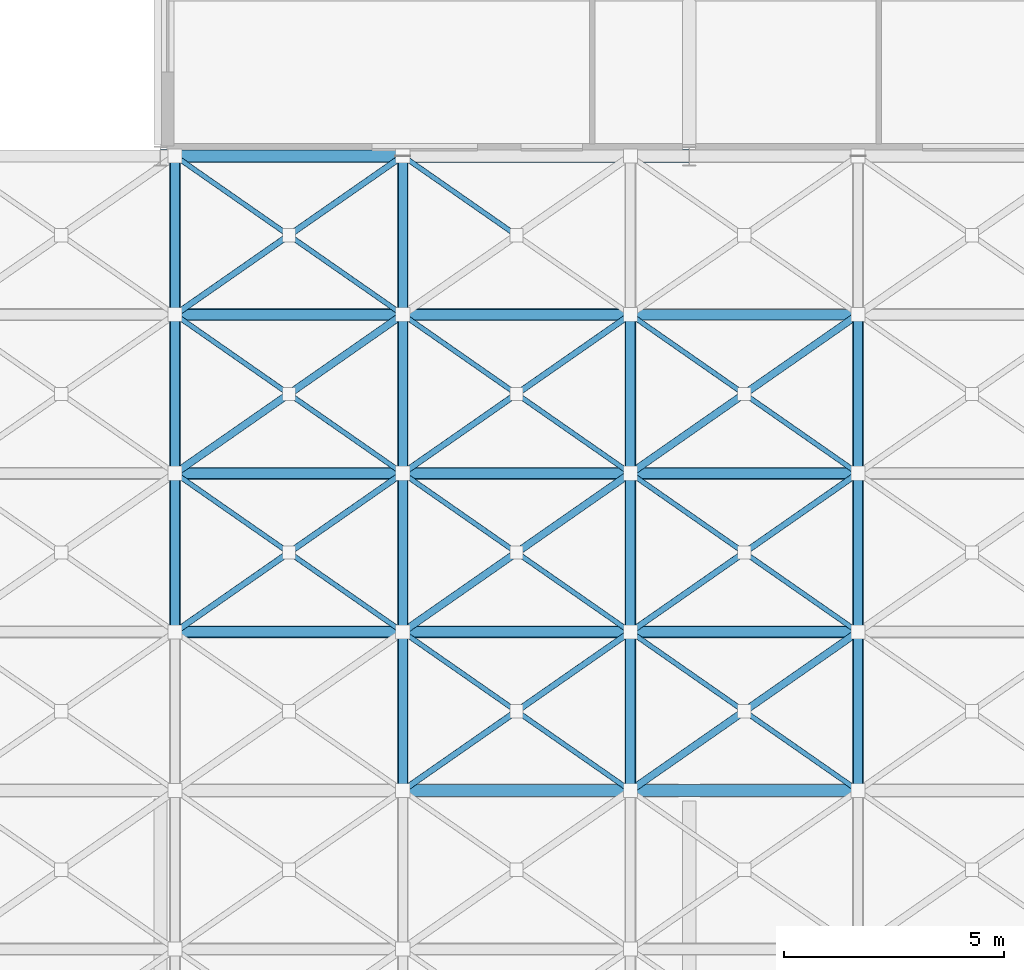
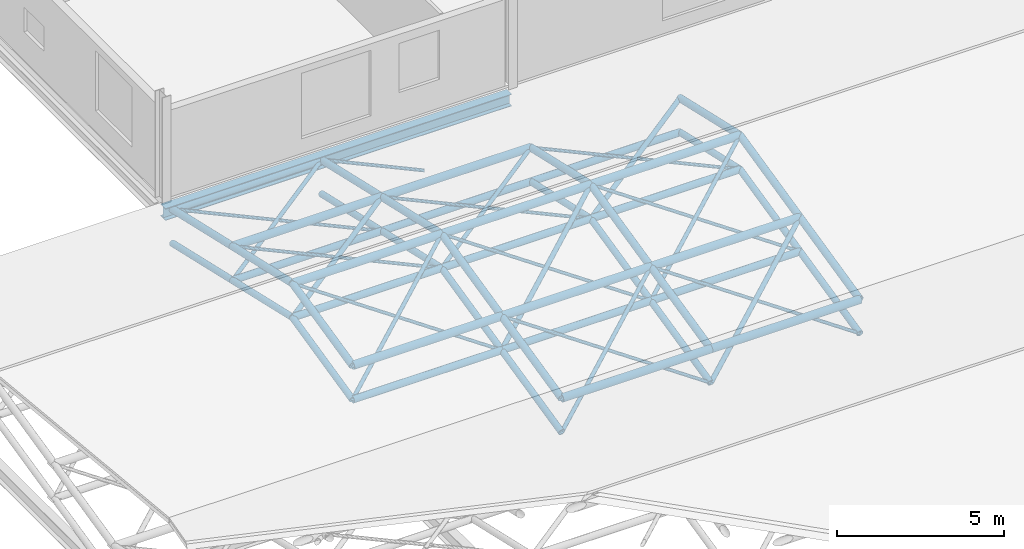
# One storey, part 46 of 110: 74 members, 1 beam.
"""IFC4 building model written with IfcOpenShell, lengths in metres."""

from ifc_helpers import new_model, si_unit, direction, frame, origin, origin_2d, place, context, subcontext, project, spatial, hollow_circle, i_section, extrude, material, material_profile, profile_set, type_object, element, save


model = new_model("IFC4")

# Units and contexts
model_context = context("Model", 3, precision=1e-05, world=origin(), true_north=direction((0.0, 1.0)))
body_context = subcontext(model_context, "Body", "Model", "MODEL_VIEW")
ifc_project = project(units=[si_unit("LENGTHUNIT", "METRE"), si_unit("AREAUNIT", "SQUARE_METRE"), si_unit("VOLUMEUNIT", "CUBIC_METRE"), si_unit("PLANEANGLEUNIT", "RADIAN"), si_unit("MASSUNIT", "GRAM", prefix="KILO")], contexts=[model_context])

# Site, building, storey
site_placement = place(None, origin())
site = spatial("IfcSite", under=ifc_project, at=site_placement, CompositionType="ELEMENT")
building_placement = place(site_placement, origin())
building = spatial("IfcBuilding", under=site, at=building_placement, Name="Tamarisk Ironworks Central Station", CompositionType="ELEMENT")
storey_placement = place(building_placement, frame((0.0, 0.0, 17.39990234375)))
storey = spatial("IfcBuildingStorey", under=building, at=storey_placement, Name="L03", CompositionType="ELEMENT", Elevation=17.39990234375)

# Beam
ifc_material_1 = material(Name="Structural steel S355J2", Category="steel")
ifc_material_profile_1 = material_profile(ifc_material_1, i_section(OverallWidth=0.300048828125, OverallDepth=0.43994140625, WebThickness=0.011474609375, FlangeThickness=0.02099609375, at=origin_2d()), Name="HEA 450")
ifc_profile_set_1 = profile_set([ifc_material_profile_1], Name="Structural steel S355J2")
beam_type = type_object("IfcBeamType", Name="BM-G06", PredefinedType="BEAM", material=ifc_profile_set_1)
beam_placement = place(storey_placement, frame((128.00390625, 79.199951171875, -0.469970703125), z_axis=(1.0, 0.0, 0.0), x_axis=(0.0, 1.0, 0.0)))
element("IfcBeam", 1, at=beam_placement, inside=storey, type_object=beam_type, Name="L03 primary girder X-0628", PredefinedType="BEAM", context=body_context, shape_type="SweptSolid", body=[
    extrude(i_section(OverallWidth=0.300048828125, OverallDepth=0.43994140625, WebThickness=0.011474609375, FlangeThickness=0.02099609375, at=origin_2d()), origin(), (0.0, 0.0, 1.0), 11.9921875),
])

# Members
ifc_material_2 = material(Name="Structural steel S355J2H", Category="steel")
ifc_material_profile_2 = material_profile(ifc_material_2, hollow_circle(Radius=0.136474609375, WallThickness=0.012451171875, at=origin_2d()), Name="CHS 273x12.5")
ifc_profile_set_2 = profile_set([ifc_material_profile_2], Name="Structural steel S355J2H")
member_type_1 = type_object("IfcMemberType", Name="MB-SFC01", PredefinedType="CHORD", material=ifc_profile_set_2)
member_1_placement = place(storey_placement, frame((133.5, 64.800048828125, -0.469970703125), z_axis=(1.0, 0.0, 0.0), x_axis=(0.0, 1.0, 0.0)))
element("IfcMember", 2, at=member_1_placement, inside=storey, type_object=member_type_1, Name="Train shed space-frame top chord 1670", PredefinedType="CHORD", context=body_context, shape_type="SweptSolid", body=[
    extrude(hollow_circle(Radius=0.136474609375, WallThickness=0.012451171875, at=origin_2d()), origin(), (0.0, 0.0, 1.0), 5.166748046875),
])
member_2_placement = place(storey_placement, frame((138.666748046875, 64.800048828125, -0.469970703125), z_axis=(1.0, 0.0, 0.0), x_axis=(0.0, 1.0, 0.0)))
element("IfcMember", 3, at=member_2_placement, inside=storey, type_object=member_type_1, Name="Train shed space-frame top chord 1671", PredefinedType="CHORD", context=body_context, shape_type="SweptSolid", body=[
    extrude(hollow_circle(Radius=0.136474609375, WallThickness=0.012451171875, at=origin_2d()), origin(), (0.0, 0.0, 1.0), 5.16650390625),
])
for number, where, z_axis, x_axis, name in (
    (4, (128.333251953125, 68.39990234375, 0.35498046875), (1.0, 0.0, 0.0), (0.0, 1.0, 0.0), "Train shed space-frame top chord 1917"),
    (5, (133.5, 68.39990234375, 0.35498046875), (1.0, 0.0, 0.0), (0.0, 1.0, 0.0), "Train shed space-frame top chord 1918"),
):
    element("IfcMember", number, at=place(storey_placement, frame(where, z_axis=z_axis, x_axis=x_axis)), inside=storey, type_object=member_type_1, Name=name, PredefinedType="CHORD", context=body_context, shape_type="SweptSolid", body=[
        extrude(hollow_circle(Radius=0.136474609375, WallThickness=0.012451171875, at=origin_2d()), origin(), (0.0, 0.0, 1.0), 5.166748046875),
    ])
member_3_placement = place(storey_placement, frame((138.666748046875, 68.39990234375, 0.35498046875), z_axis=(1.0, 0.0, 0.0), x_axis=(0.0, 1.0, 0.0)))
element("IfcMember", 6, at=member_3_placement, inside=storey, type_object=member_type_1, Name="Train shed space-frame top chord 1919", PredefinedType="CHORD", context=body_context, shape_type="SweptSolid", body=[
    extrude(hollow_circle(Radius=0.136474609375, WallThickness=0.012451171875, at=origin_2d()), origin(), (0.0, 0.0, 1.0), 5.16650390625),
])
for number, where, z_axis, x_axis, name in (
    (7, (128.333251953125, 72.0, 1.18017578125), (1.0, 0.0, 0.0), (0.0, 1.0, 0.0), "Train shed space-frame top chord 1929"),
    (8, (133.5, 72.0, 1.18017578125), (1.0, 0.0, 0.0), (0.0, 1.0, 0.0), "Train shed space-frame top chord 1930"),
):
    element("IfcMember", number, at=place(storey_placement, frame(where, z_axis=z_axis, x_axis=x_axis)), inside=storey, type_object=member_type_1, Name=name, PredefinedType="CHORD", context=body_context, shape_type="SweptSolid", body=[
        extrude(hollow_circle(Radius=0.136474609375, WallThickness=0.012451171875, at=origin_2d()), origin(), (0.0, 0.0, 1.0), 5.166748046875),
    ])
member_4_placement = place(storey_placement, frame((138.666748046875, 72.0, 1.18017578125), z_axis=(1.0, 0.0, 0.0), x_axis=(0.0, 1.0, 0.0)))
element("IfcMember", 9, at=member_4_placement, inside=storey, type_object=member_type_1, Name="Train shed space-frame top chord 1931", PredefinedType="CHORD", context=body_context, shape_type="SweptSolid", body=[
    extrude(hollow_circle(Radius=0.136474609375, WallThickness=0.012451171875, at=origin_2d()), origin(), (0.0, 0.0, 1.0), 5.16650390625),
])
for number, where, z_axis, x_axis, name in (
    (10, (128.333251953125, 75.60009765625, 0.35498046875), (1.0, 0.0, 0.0), (0.0, 1.0, 0.0), "Train shed space-frame top chord 1941"),
    (11, (133.5, 75.60009765625, 0.35498046875), (1.0, 0.0, 0.0), (0.0, 1.0, 0.0), "Train shed space-frame top chord 1942"),
    (12, (128.333251953125, 79.199951171875, -0.469970703125), (1.0, 0.0, 0.0), (0.0, 1.0, 0.0), "Train shed space-frame top chord 1953"),
):
    element("IfcMember", number, at=place(storey_placement, frame(where, z_axis=z_axis, x_axis=x_axis)), inside=storey, type_object=member_type_1, Name=name, PredefinedType="CHORD", context=body_context, shape_type="SweptSolid", body=[
        extrude(hollow_circle(Radius=0.136474609375, WallThickness=0.012451171875, at=origin_2d()), origin(), (0.0, 0.0, 1.0), 5.166748046875),
    ])
ifc_material_profile_3 = material_profile(ifc_material_2, hollow_circle(Radius=0.122314453125, WallThickness=0.012451171875, at=origin_2d()), Name="CHS 244.5x12.5")
ifc_profile_set_3 = profile_set([ifc_material_profile_3], Name="Structural steel S355J2H")
member_type_2 = type_object("IfcMemberType", Name="MB-SFC02", PredefinedType="CHORD", material=ifc_profile_set_3)
for number, where, z_axis, x_axis, name in (
    (13, (128.333251953125, 68.39990234375, -0.89501953125), (1.0, 0.0, 0.0), (0.0, 1.0, 0.0), "Train shed space-frame bottom chord 1829"),
    (14, (133.5, 68.39990234375, -0.89501953125), (1.0, 0.0, 0.0), (0.0, 1.0, 0.0), "Train shed space-frame bottom chord 1830"),
):
    element("IfcMember", number, at=place(storey_placement, frame(where, z_axis=z_axis, x_axis=x_axis)), inside=storey, type_object=member_type_2, Name=name, PredefinedType="CHORD", context=body_context, shape_type="SweptSolid", body=[
        extrude(hollow_circle(Radius=0.122314453125, WallThickness=0.012451171875, at=origin_2d()), origin(), (0.0, 0.0, 1.0), 5.166748046875),
    ])
member_5_placement = place(storey_placement, frame((138.666748046875, 68.39990234375, -0.89501953125), z_axis=(1.0, 0.0, 0.0), x_axis=(0.0, 1.0, 0.0)))
element("IfcMember", 15, at=member_5_placement, inside=storey, type_object=member_type_2, Name="Train shed space-frame bottom chord 1831", PredefinedType="CHORD", context=body_context, shape_type="SweptSolid", body=[
    extrude(hollow_circle(Radius=0.122314453125, WallThickness=0.012451171875, at=origin_2d()), origin(), (0.0, 0.0, 1.0), 5.16650390625),
])
for number, where, z_axis, x_axis, name in (
    (16, (128.333251953125, 72.0, -0.06982421875), (1.0, 0.0, 0.0), (0.0, 1.0, 0.0), "Train shed space-frame bottom chord 1841"),
    (17, (133.5, 72.0, -0.06982421875), (1.0, 0.0, 0.0), (0.0, 1.0, 0.0), "Train shed space-frame bottom chord 1842"),
):
    element("IfcMember", number, at=place(storey_placement, frame(where, z_axis=z_axis, x_axis=x_axis)), inside=storey, type_object=member_type_2, Name=name, PredefinedType="CHORD", context=body_context, shape_type="SweptSolid", body=[
        extrude(hollow_circle(Radius=0.122314453125, WallThickness=0.012451171875, at=origin_2d()), origin(), (0.0, 0.0, 1.0), 5.166748046875),
    ])
member_6_placement = place(storey_placement, frame((138.666748046875, 72.0, -0.06982421875), z_axis=(1.0, 0.0, 0.0), x_axis=(0.0, 1.0, 0.0)))
element("IfcMember", 18, at=member_6_placement, inside=storey, type_object=member_type_2, Name="Train shed space-frame bottom chord 1843", PredefinedType="CHORD", context=body_context, shape_type="SweptSolid", body=[
    extrude(hollow_circle(Radius=0.122314453125, WallThickness=0.012451171875, at=origin_2d()), origin(), (0.0, 0.0, 1.0), 5.16650390625),
])
for number, where, z_axis, x_axis, name in (
    (19, (128.333251953125, 75.60009765625, -0.89501953125), (1.0, 0.0, 0.0), (0.0, 1.0, 0.0), "Train shed space-frame bottom chord 1853"),
    (20, (133.5, 75.60009765625, -0.89501953125), (1.0, 0.0, 0.0), (0.0, 1.0, 0.0), "Train shed space-frame bottom chord 1854"),
):
    element("IfcMember", number, at=place(storey_placement, frame(where, z_axis=z_axis, x_axis=x_axis)), inside=storey, type_object=member_type_2, Name=name, PredefinedType="CHORD", context=body_context, shape_type="SweptSolid", body=[
        extrude(hollow_circle(Radius=0.122314453125, WallThickness=0.012451171875, at=origin_2d()), origin(), (0.0, 0.0, 1.0), 5.166748046875),
    ])
member_7_placement = place(storey_placement, frame((138.666748046875, 75.60009765625, -0.89501953125), z_axis=(1.0, 0.0, 0.0), x_axis=(0.0, 1.0, 0.0)))
element("IfcMember", 21, at=member_7_placement, inside=storey, type_object=member_type_2, Name="Train shed space-frame bottom chord 1855", PredefinedType="CHORD", context=body_context, shape_type="SweptSolid", body=[
    extrude(hollow_circle(Radius=0.122314453125, WallThickness=0.012451171875, at=origin_2d()), origin(), (0.0, 0.0, 1.0), 5.16650390625),
])
for number, where, z_axis, x_axis, name in (
    (22, (128.333251953125, 68.39990234375, 0.35498046875), (0.0, 0.974722123001, 0.223420641241), (-1.0, 0.0, 0.0), "Train shed space-frame top transverse chord 1972"),
    (23, (128.333251953125, 72.0, 1.18017578125), (0.0, 0.974722123001, -0.223420641241), (-1.0, 0.0, 0.0), "Train shed space-frame top transverse chord 1973"),
):
    element("IfcMember", number, at=place(storey_placement, frame(where, z_axis=z_axis, x_axis=x_axis)), inside=storey, type_object=member_type_2, Name=name, PredefinedType="CHORD", context=body_context, shape_type="SweptSolid", body=[
        extrude(hollow_circle(Radius=0.122314453125, WallThickness=0.012451171875, at=origin_2d()), origin(), (0.0, 0.0, 1.0), 3.693359375),
    ])
for number, where, z_axis, x_axis, name in (
    (24, (128.333251953125, 75.60009765625, 0.35498046875), (0.0, 0.974733218107, -0.223372230857), (-1.0, 0.0, 0.0), "Train shed space-frame top transverse chord 1974"),
    (25, (133.5, 64.800048828125, -0.469970703125), (0.0, 0.974733218107, 0.223372230857), (-1.0, 0.0, 0.0), "Train shed space-frame top transverse chord 1975"),
):
    element("IfcMember", number, at=place(storey_placement, frame(where, z_axis=z_axis, x_axis=x_axis)), inside=storey, type_object=member_type_2, Name=name, PredefinedType="CHORD", context=body_context, shape_type="SweptSolid", body=[
        extrude(hollow_circle(Radius=0.122314453125, WallThickness=0.012451171875, at=origin_2d()), origin(), (0.0, 0.0, 1.0), 3.693115234375),
    ])
for number, where, z_axis, x_axis, name in (
    (26, (133.5, 68.39990234375, 0.35498046875), (0.0, 0.974722123001, 0.223420641241), (-1.0, 0.0, 0.0), "Train shed space-frame top transverse chord 1976"),
    (27, (133.5, 72.0, 1.18017578125), (0.0, 0.974722123001, -0.223420641241), (-1.0, 0.0, 0.0), "Train shed space-frame top transverse chord 1977"),
):
    element("IfcMember", number, at=place(storey_placement, frame(where, z_axis=z_axis, x_axis=x_axis)), inside=storey, type_object=member_type_2, Name=name, PredefinedType="CHORD", context=body_context, shape_type="SweptSolid", body=[
        extrude(hollow_circle(Radius=0.122314453125, WallThickness=0.012451171875, at=origin_2d()), origin(), (0.0, 0.0, 1.0), 3.693359375),
    ])
for number, where, z_axis, x_axis, name in (
    (28, (133.5, 75.60009765625, 0.35498046875), (0.0, 0.974733218107, -0.223372230857), (-1.0, 0.0, 0.0), "Train shed space-frame top transverse chord 1978"),
    (29, (138.666748046875, 64.800048828125, -0.469970703125), (0.0, 0.974733218107, 0.223372230857), (-1.0, 0.0, 0.0), "Train shed space-frame top transverse chord 1979"),
):
    element("IfcMember", number, at=place(storey_placement, frame(where, z_axis=z_axis, x_axis=x_axis)), inside=storey, type_object=member_type_2, Name=name, PredefinedType="CHORD", context=body_context, shape_type="SweptSolid", body=[
        extrude(hollow_circle(Radius=0.122314453125, WallThickness=0.012451171875, at=origin_2d()), origin(), (0.0, 0.0, 1.0), 3.693115234375),
    ])
for number, where, z_axis, x_axis, name in (
    (30, (138.666748046875, 68.39990234375, 0.35498046875), (0.0, 0.974722123001, 0.223420641241), (-1.0, 0.0, 0.0), "Train shed space-frame top transverse chord 1980"),
    (31, (138.666748046875, 72.0, 1.18017578125), (0.0, 0.974722123001, -0.223420641241), (-1.0, 0.0, 0.0), "Train shed space-frame top transverse chord 1981"),
):
    element("IfcMember", number, at=place(storey_placement, frame(where, z_axis=z_axis, x_axis=x_axis)), inside=storey, type_object=member_type_2, Name=name, PredefinedType="CHORD", context=body_context, shape_type="SweptSolid", body=[
        extrude(hollow_circle(Radius=0.122314453125, WallThickness=0.012451171875, at=origin_2d()), origin(), (0.0, 0.0, 1.0), 3.693359375),
    ])
member_8_placement = place(storey_placement, frame((143.833251953125, 64.800048828125, -0.469970703125), z_axis=(0.0, 0.974733218107, 0.223372230857), x_axis=(-1.0, 0.0, 0.0)))
element("IfcMember", 32, at=member_8_placement, inside=storey, type_object=member_type_2, Name="Train shed space-frame top transverse chord 1983", PredefinedType="CHORD", context=body_context, shape_type="SweptSolid", body=[
    extrude(hollow_circle(Radius=0.122314453125, WallThickness=0.012451171875, at=origin_2d()), origin(), (0.0, 0.0, 1.0), 3.693115234375),
])
for number, where, z_axis, x_axis, name in (
    (33, (143.833251953125, 68.39990234375, 0.35498046875), (0.0, 0.974722123001, 0.223420641241), (-1.0, 0.0, 0.0), "Train shed space-frame top transverse chord 1984"),
    (34, (143.833251953125, 72.0, 1.18017578125), (0.0, 0.974722123001, -0.223420641241), (-1.0, 0.0, 0.0), "Train shed space-frame top transverse chord 1985"),
):
    element("IfcMember", number, at=place(storey_placement, frame(where, z_axis=z_axis, x_axis=x_axis)), inside=storey, type_object=member_type_2, Name=name, PredefinedType="CHORD", context=body_context, shape_type="SweptSolid", body=[
        extrude(hollow_circle(Radius=0.122314453125, WallThickness=0.012451171875, at=origin_2d()), origin(), (0.0, 0.0, 1.0), 3.693359375),
    ])
ifc_material_profile_4 = material_profile(ifc_material_2, hollow_circle(Radius=0.109619140625, WallThickness=0.010009765625, at=origin_2d()), Name="CHS 219.1x10")
ifc_profile_set_4 = profile_set([ifc_material_profile_4], Name="Structural steel S355J2H")
member_type_3 = type_object("IfcMemberType", Name="MB-SFC03", PredefinedType="CHORD", material=ifc_profile_set_4)
for number, where, z_axis, x_axis, name in (
    (35, (128.333251953125, 68.39990234375, -0.89501953125), (0.0, 0.974722123001, 0.223420641241), (-1.0, 0.0, 0.0), "Train shed space-frame transverse chord 1872"),
    (36, (128.333251953125, 72.0, -0.06982421875), (0.0, 0.974722123001, -0.223420641241), (-1.0, 0.0, 0.0), "Train shed space-frame transverse chord 1873"),
):
    element("IfcMember", number, at=place(storey_placement, frame(where, z_axis=z_axis, x_axis=x_axis)), inside=storey, type_object=member_type_3, Name=name, PredefinedType="CHORD", context=body_context, shape_type="SweptSolid", body=[
        extrude(hollow_circle(Radius=0.109619140625, WallThickness=0.010009765625, at=origin_2d()), origin(), (0.0, 0.0, 1.0), 3.693359375),
    ])
for number, where, z_axis, x_axis, name in (
    (37, (128.333251953125, 75.60009765625, -0.89501953125), (0.0, 0.974733218107, -0.223372230857), (-1.0, 0.0, 0.0), "Train shed space-frame transverse chord 1874"),
    (38, (133.5, 64.800048828125, -1.719970703125), (0.0, 0.974733218107, 0.223372230857), (-1.0, 0.0, 0.0), "Train shed space-frame transverse chord 1875"),
):
    element("IfcMember", number, at=place(storey_placement, frame(where, z_axis=z_axis, x_axis=x_axis)), inside=storey, type_object=member_type_3, Name=name, PredefinedType="CHORD", context=body_context, shape_type="SweptSolid", body=[
        extrude(hollow_circle(Radius=0.109619140625, WallThickness=0.010009765625, at=origin_2d()), origin(), (0.0, 0.0, 1.0), 3.693115234375),
    ])
for number, where, z_axis, x_axis, name in (
    (39, (133.5, 68.39990234375, -0.89501953125), (0.0, 0.974722123001, 0.223420641241), (-1.0, 0.0, 0.0), "Train shed space-frame transverse chord 1876"),
    (40, (133.5, 72.0, -0.06982421875), (0.0, 0.974722123001, -0.223420641241), (-1.0, 0.0, 0.0), "Train shed space-frame transverse chord 1877"),
):
    element("IfcMember", number, at=place(storey_placement, frame(where, z_axis=z_axis, x_axis=x_axis)), inside=storey, type_object=member_type_3, Name=name, PredefinedType="CHORD", context=body_context, shape_type="SweptSolid", body=[
        extrude(hollow_circle(Radius=0.109619140625, WallThickness=0.010009765625, at=origin_2d()), origin(), (0.0, 0.0, 1.0), 3.693359375),
    ])
for number, where, z_axis, x_axis, name in (
    (41, (133.5, 75.60009765625, -0.89501953125), (0.0, 0.974733218107, -0.223372230857), (-1.0, 0.0, 0.0), "Train shed space-frame transverse chord 1878"),
    (42, (138.666748046875, 64.800048828125, -1.719970703125), (0.0, 0.974733218107, 0.223372230857), (-1.0, 0.0, 0.0), "Train shed space-frame transverse chord 1879"),
):
    element("IfcMember", number, at=place(storey_placement, frame(where, z_axis=z_axis, x_axis=x_axis)), inside=storey, type_object=member_type_3, Name=name, PredefinedType="CHORD", context=body_context, shape_type="SweptSolid", body=[
        extrude(hollow_circle(Radius=0.109619140625, WallThickness=0.010009765625, at=origin_2d()), origin(), (0.0, 0.0, 1.0), 3.693115234375),
    ])
for number, where, z_axis, x_axis, name in (
    (43, (138.666748046875, 68.39990234375, -0.89501953125), (0.0, 0.974722123001, 0.223420641241), (-1.0, 0.0, 0.0), "Train shed space-frame transverse chord 1880"),
    (44, (138.666748046875, 72.0, -0.06982421875), (0.0, 0.974722123001, -0.223420641241), (-1.0, 0.0, 0.0), "Train shed space-frame transverse chord 1881"),
):
    element("IfcMember", number, at=place(storey_placement, frame(where, z_axis=z_axis, x_axis=x_axis)), inside=storey, type_object=member_type_3, Name=name, PredefinedType="CHORD", context=body_context, shape_type="SweptSolid", body=[
        extrude(hollow_circle(Radius=0.109619140625, WallThickness=0.010009765625, at=origin_2d()), origin(), (0.0, 0.0, 1.0), 3.693359375),
    ])
member_9_placement = place(storey_placement, frame((143.833251953125, 64.800048828125, -1.719970703125), z_axis=(0.0, 0.974733218107, 0.223372230857), x_axis=(-1.0, 0.0, 0.0)))
element("IfcMember", 45, at=member_9_placement, inside=storey, type_object=member_type_3, Name="Train shed space-frame transverse chord 1883", PredefinedType="CHORD", context=body_context, shape_type="SweptSolid", body=[
    extrude(hollow_circle(Radius=0.109619140625, WallThickness=0.010009765625, at=origin_2d()), origin(), (0.0, 0.0, 1.0), 3.693115234375),
])
for number, where, z_axis, x_axis, name in (
    (46, (143.833251953125, 68.39990234375, -0.89501953125), (0.0, 0.974722123001, 0.223420641241), (-1.0, 0.0, 0.0), "Train shed space-frame transverse chord 1884"),
    (47, (143.833251953125, 72.0, -0.06982421875), (0.0, 0.974722123001, -0.223420641241), (-1.0, 0.0, 0.0), "Train shed space-frame transverse chord 1885"),
):
    element("IfcMember", number, at=place(storey_placement, frame(where, z_axis=z_axis, x_axis=x_axis)), inside=storey, type_object=member_type_3, Name=name, PredefinedType="CHORD", context=body_context, shape_type="SweptSolid", body=[
        extrude(hollow_circle(Radius=0.109619140625, WallThickness=0.010009765625, at=origin_2d()), origin(), (0.0, 0.0, 1.0), 3.693359375),
    ])
ifc_material_profile_5 = material_profile(ifc_material_2, hollow_circle(Radius=0.084228515625, WallThickness=0.010009765625, at=origin_2d()), Name="CHS 168.3x10")
ifc_profile_set_5 = profile_set([ifc_material_profile_5], Name="Structural steel S355J2H")
member_type_4 = type_object("IfcMemberType", Name="MB-SFD01", PredefinedType="BRACE", material=ifc_profile_set_5)
member_10_placement = place(storey_placement, frame((128.333251953125, 72.0, -0.06982421875), z_axis=(0.818609881232, 0.570392728283, 0.067305258864), x_axis=(-0.571689073201, 0.82047035509, 0.0)))
element("IfcMember", 48, at=member_10_placement, inside=storey, type_object=member_type_4, Name="Train shed space-frame diagonal 2035", PredefinedType="BRACE", context=body_context, shape_type="SweptSolid", body=[
    extrude(hollow_circle(Radius=0.084228515625, WallThickness=0.010009765625, at=origin_2d()), origin(), (0.0, 0.0, 1.0), 6.3115234375),
])
member_11_placement = place(storey_placement, frame((133.5, 68.39990234375, -0.89501953125), z_axis=(0.779249385031, 0.542967038306, 0.312981135603), x_axis=(-0.571689073201, 0.82047035509, 0.0)))
element("IfcMember", 49, at=member_11_placement, inside=storey, type_object=member_type_4, Name="Train shed space-frame diagonal 2041", PredefinedType="BRACE", context=body_context, shape_type="SweptSolid", body=[
    extrude(hollow_circle(Radius=0.084228515625, WallThickness=0.010009765625, at=origin_2d()), origin(), (0.0, 0.0, 1.0), 6.63037109375),
])
member_12_placement = place(storey_placement, frame((138.666748046875, 64.800048828125, -1.719970703125), z_axis=(0.779259482852, 0.542962908735, 0.312963157772), x_axis=(-0.571681159291, 0.820475869305, 0.0)))
element("IfcMember", 50, at=member_12_placement, inside=storey, type_object=member_type_4, Name="Train shed space-frame diagonal 2047", PredefinedType="BRACE", context=body_context, shape_type="SweptSolid", body=[
    extrude(hollow_circle(Radius=0.084228515625, WallThickness=0.010009765625, at=origin_2d()), origin(), (0.0, 0.0, 1.0), 6.630126953125),
])
member_13_placement = place(storey_placement, frame((138.666748046875, 72.0, -0.06982421875), z_axis=(0.81859712056, 0.570410790085, 0.067307390123), x_axis=(-0.571707258436, 0.820457683645, 0.0)))
element("IfcMember", 51, at=member_13_placement, inside=storey, type_object=member_type_4, Name="Train shed space-frame diagonal 2051", PredefinedType="BRACE", context=body_context, shape_type="SweptSolid", body=[
    extrude(hollow_circle(Radius=0.084228515625, WallThickness=0.010009765625, at=origin_2d()), origin(), (0.0, 0.0, 1.0), 6.3115234375),
])
ifc_material_profile_6 = material_profile(ifc_material_2, hollow_circle(Radius=0.06982421875, WallThickness=0.008056640625, at=origin_2d()), Name="CHS 139.7x8")
ifc_profile_set_6 = profile_set([ifc_material_profile_6], Name="Structural steel S355J2H")
member_type_5 = type_object("IfcMemberType", Name="MB-SFD02", PredefinedType="BRACE", material=ifc_profile_set_6)
member_14_placement = place(storey_placement, frame((128.333251953125, 68.39990234375, -0.89501953125), z_axis=(0.779249385031, 0.542967038306, 0.312981135603), x_axis=(-0.571689073201, 0.82047035509, 0.0)))
element("IfcMember", 52, at=member_14_placement, inside=storey, type_object=member_type_5, Name="Train shed space-frame diagonal 2033", PredefinedType="BRACE", context=body_context, shape_type="SweptSolid", body=[
    extrude(hollow_circle(Radius=0.06982421875, WallThickness=0.008056640625, at=origin_2d()), origin(), (0.0, 0.0, 1.0), 6.63037109375),
])
member_15_placement = place(storey_placement, frame((128.333251953125, 75.60009765625, -0.89501953125), z_axis=(0.818625810636, 0.570365145671, 0.067345250499), x_axis=(-0.57166297408, 0.820488539875, 0.0)))
element("IfcMember", 53, at=member_15_placement, inside=storey, type_object=member_type_5, Name="Train shed space-frame diagonal 2037", PredefinedType="BRACE", context=body_context, shape_type="SweptSolid", body=[
    extrude(hollow_circle(Radius=0.06982421875, WallThickness=0.008056640625, at=origin_2d()), origin(), (0.0, 0.0, 1.0), 6.3115234375),
])
member_16_placement = place(storey_placement, frame((133.5, 64.800048828125, -1.719970703125), z_axis=(0.779273944842, 0.542947328672, 0.312954177442), x_axis=(-0.57166297408, 0.820488539875, 0.0)))
element("IfcMember", 54, at=member_16_placement, inside=storey, type_object=member_type_5, Name="Train shed space-frame diagonal 2039", PredefinedType="BRACE", context=body_context, shape_type="SweptSolid", body=[
    extrude(hollow_circle(Radius=0.06982421875, WallThickness=0.008056640625, at=origin_2d()), origin(), (0.0, 0.0, 1.0), 6.630126953125),
])
member_17_placement = place(storey_placement, frame((133.5, 72.0, -0.06982421875), z_axis=(0.818609881232, 0.570392728283, 0.067305258864), x_axis=(-0.571689073201, 0.82047035509, 0.0)))
element("IfcMember", 55, at=member_17_placement, inside=storey, type_object=member_type_5, Name="Train shed space-frame diagonal 2043", PredefinedType="BRACE", context=body_context, shape_type="SweptSolid", body=[
    extrude(hollow_circle(Radius=0.06982421875, WallThickness=0.008056640625, at=origin_2d()), origin(), (0.0, 0.0, 1.0), 6.3115234375),
])
member_18_placement = place(storey_placement, frame((138.666748046875, 68.39990234375, -0.89501953125), z_axis=(0.779234922088, 0.542982617952, 0.31299011614), x_axis=(-0.571707258436, 0.820457683645, 0.0)))
element("IfcMember", 56, at=member_18_placement, inside=storey, type_object=member_type_5, Name="Train shed space-frame diagonal 2049", PredefinedType="BRACE", context=body_context, shape_type="SweptSolid", body=[
    extrude(hollow_circle(Radius=0.06982421875, WallThickness=0.008056640625, at=origin_2d()), origin(), (0.0, 0.0, 1.0), 6.630126953125),
])
ifc_material_profile_7 = material_profile(ifc_material_2, hollow_circle(Radius=0.05712890625, WallThickness=0.00634765625, at=origin_2d()), Name="CHS 114.3x6.3")
ifc_profile_set_7 = profile_set([ifc_material_profile_7], Name="Structural steel S355J2H")
member_type_6 = type_object("IfcMemberType", Name="MB-SFD03", PredefinedType="BRACE", material=ifc_profile_set_7)
for number, where, z_axis, x_axis, name in (
    (57, (133.5, 68.39990234375, -0.89501953125), (-0.779202006797, 0.5430075686, 0.313028773514), (-0.571741198525, -0.820434032637, 0.0), "Train shed space-frame split counter-diagonal lower 2034"),
    (58, (130.873779296875, 70.22998046875, 0.159912109375), (-0.779281371438, 0.542935800781, 0.31295568434), (-0.571651135352, -0.820496788203, 0.0), "Train shed space-frame split counter-diagonal upper 2034"),
):
    element("IfcMember", number, at=place(storey_placement, frame(where, z_axis=z_axis, x_axis=x_axis)), inside=storey, type_object=member_type_6, Name=name, PredefinedType="BRACE", context=body_context, shape_type="SweptSolid", body=[
        extrude(hollow_circle(Radius=0.05712890625, WallThickness=0.00634765625, at=origin_2d()), origin(), (0.0, 0.0, 1.0), 3.260009765625),
    ])
for number, where, z_axis, x_axis, name in (
    (59, (133.5, 72.0, -0.06982421875), (-0.81862545828, 0.570368646704, 0.067319877544), (-0.571665501983, -0.820486778591, 0.0), "Train shed space-frame split counter-diagonal lower 2036"),
    (60, (130.87158203125, 73.831298828125, 0.146240234375), (-0.818588694614, 0.570421765171, 0.067316854275), (-0.571718624339, -0.820449763596, 0.0), "Train shed space-frame split counter-diagonal upper 2036"),
    (61, (133.5, 75.60009765625, -0.89501953125), (-0.818621116616, 0.570365621695, 0.067398256788), (-0.571665501983, -0.820486778591, 0.0), "Train shed space-frame split counter-diagonal lower 2038"),
    (62, (130.87158203125, 77.431396484375, -0.6787109375), (-0.81862545828, 0.570368646704, 0.067319877544), (-0.571665501983, -0.820486778591, 0.0), "Train shed space-frame split counter-diagonal upper 2038"),
):
    element("IfcMember", number, at=place(storey_placement, frame(where, z_axis=z_axis, x_axis=x_axis)), inside=storey, type_object=member_type_6, Name=name, PredefinedType="BRACE", context=body_context, shape_type="SweptSolid", body=[
        extrude(hollow_circle(Radius=0.05712890625, WallThickness=0.00634765625, at=origin_2d()), origin(), (0.0, 0.0, 1.0), 3.100830078125),
    ])
for number, where, z_axis, x_axis, name in (
    (63, (138.666748046875, 64.800048828125, -1.719970703125), (-0.779281371438, 0.542935800781, 0.31295568434), (-0.571651135352, -0.820496788203, 0.0), "Train shed space-frame split counter-diagonal lower 2040"),
    (64, (136.040283203125, 66.6298828125, -0.665283203125), (-0.779251958926, 0.542967486998, 0.312973948712), (-0.571688120068, -0.820471019216, 0.0), "Train shed space-frame split counter-diagonal upper 2040"),
):
    element("IfcMember", number, at=place(storey_placement, frame(where, z_axis=z_axis, x_axis=x_axis)), inside=storey, type_object=member_type_6, Name=name, PredefinedType="BRACE", context=body_context, shape_type="SweptSolid", body=[
        extrude(hollow_circle(Radius=0.05712890625, WallThickness=0.00634765625, at=origin_2d()), origin(), (0.0, 0.0, 1.0), 3.260009765625),
    ])
member_19_placement = place(storey_placement, frame((138.666748046875, 68.39990234375, -0.89501953125), z_axis=(-0.779231423252, 0.542975884106, 0.313010508283), x_axis=(-0.571704213709, -0.820459805248, 0.0)))
element("IfcMember", 65, at=member_19_placement, inside=storey, type_object=member_type_6, Name="Train shed space-frame split counter-diagonal lower 2042", PredefinedType="BRACE", context=body_context, shape_type="SweptSolid", body=[
    extrude(hollow_circle(Radius=0.05712890625, WallThickness=0.00634765625, at=origin_2d()), origin(), (0.0, 0.0, 1.0), 3.26025390625),
])
member_20_placement = place(storey_placement, frame((136.040283203125, 70.22998046875, 0.159912109375), z_axis=(-0.779251958926, 0.542967486998, 0.312973948712), x_axis=(-0.571688120068, -0.820471019216, 0.0)))
element("IfcMember", 66, at=member_20_placement, inside=storey, type_object=member_type_6, Name="Train shed space-frame split counter-diagonal upper 2042", PredefinedType="BRACE", context=body_context, shape_type="SweptSolid", body=[
    extrude(hollow_circle(Radius=0.05712890625, WallThickness=0.00634765625, at=origin_2d()), origin(), (0.0, 0.0, 1.0), 3.260009765625),
])
for number, where, z_axis, x_axis, name in (
    (67, (138.666748046875, 72.0, -0.06982421875), (-0.81862545828, 0.570368646704, 0.067319877544), (-0.571665501983, -0.820486778591, 0.0), "Train shed space-frame split counter-diagonal lower 2044"),
    (68, (136.038330078125, 73.831298828125, 0.146240234375), (-0.818588694614, 0.570421765171, 0.067316854275), (-0.571718624339, -0.820449763596, 0.0), "Train shed space-frame split counter-diagonal upper 2044"),
    (69, (136.038330078125, 77.431396484375, -0.6787109375), (-0.81862545828, 0.570368646704, 0.067319877544), (-0.571665501983, -0.820486778591, 0.0), "Train shed space-frame split counter-diagonal upper 2046"),
):
    element("IfcMember", number, at=place(storey_placement, frame(where, z_axis=z_axis, x_axis=x_axis)), inside=storey, type_object=member_type_6, Name=name, PredefinedType="BRACE", context=body_context, shape_type="SweptSolid", body=[
        extrude(hollow_circle(Radius=0.05712890625, WallThickness=0.00634765625, at=origin_2d()), origin(), (0.0, 0.0, 1.0), 3.100830078125),
    ])
for number, where, z_axis, x_axis, name in (
    (70, (143.833251953125, 64.800048828125, -1.719970703125), (-0.779251958926, 0.542967486998, 0.312973948712), (-0.571688120068, -0.820471019216, 0.0), "Train shed space-frame split counter-diagonal lower 2048"),
    (71, (141.20703125, 66.6298828125, -0.665283203125), (-0.779251958926, 0.542967486998, 0.312973948712), (-0.571688120068, -0.820471019216, 0.0), "Train shed space-frame split counter-diagonal upper 2048"),
    (72, (143.833251953125, 68.39990234375, -0.89501953125), (-0.779202006797, 0.5430075686, 0.313028773514), (-0.571741198525, -0.820434032637, 0.0), "Train shed space-frame split counter-diagonal lower 2050"),
    (73, (141.20703125, 70.22998046875, 0.159912109375), (-0.779251958926, 0.542967486998, 0.312973948712), (-0.571688120068, -0.820471019216, 0.0), "Train shed space-frame split counter-diagonal upper 2050"),
):
    element("IfcMember", number, at=place(storey_placement, frame(where, z_axis=z_axis, x_axis=x_axis)), inside=storey, type_object=member_type_6, Name=name, PredefinedType="BRACE", context=body_context, shape_type="SweptSolid", body=[
        extrude(hollow_circle(Radius=0.05712890625, WallThickness=0.00634765625, at=origin_2d()), origin(), (0.0, 0.0, 1.0), 3.260009765625),
    ])
for number, where, z_axis, x_axis, name in (
    (74, (143.833251953125, 72.0, -0.06982421875), (-0.81862545828, 0.570368646704, 0.067319877544), (-0.571665501983, -0.820486778591, 0.0), "Train shed space-frame split counter-diagonal lower 2052"),
    (75, (141.205078125, 73.831298828125, 0.146240234375), (-0.818588694614, 0.570421765171, 0.067316854275), (-0.571718624339, -0.820449763596, 0.0), "Train shed space-frame split counter-diagonal upper 2052"),
):
    element("IfcMember", number, at=place(storey_placement, frame(where, z_axis=z_axis, x_axis=x_axis)), inside=storey, type_object=member_type_6, Name=name, PredefinedType="BRACE", context=body_context, shape_type="SweptSolid", body=[
        extrude(hollow_circle(Radius=0.05712890625, WallThickness=0.00634765625, at=origin_2d()), origin(), (0.0, 0.0, 1.0), 3.100830078125),
    ])

save(model, "model.ifc")
